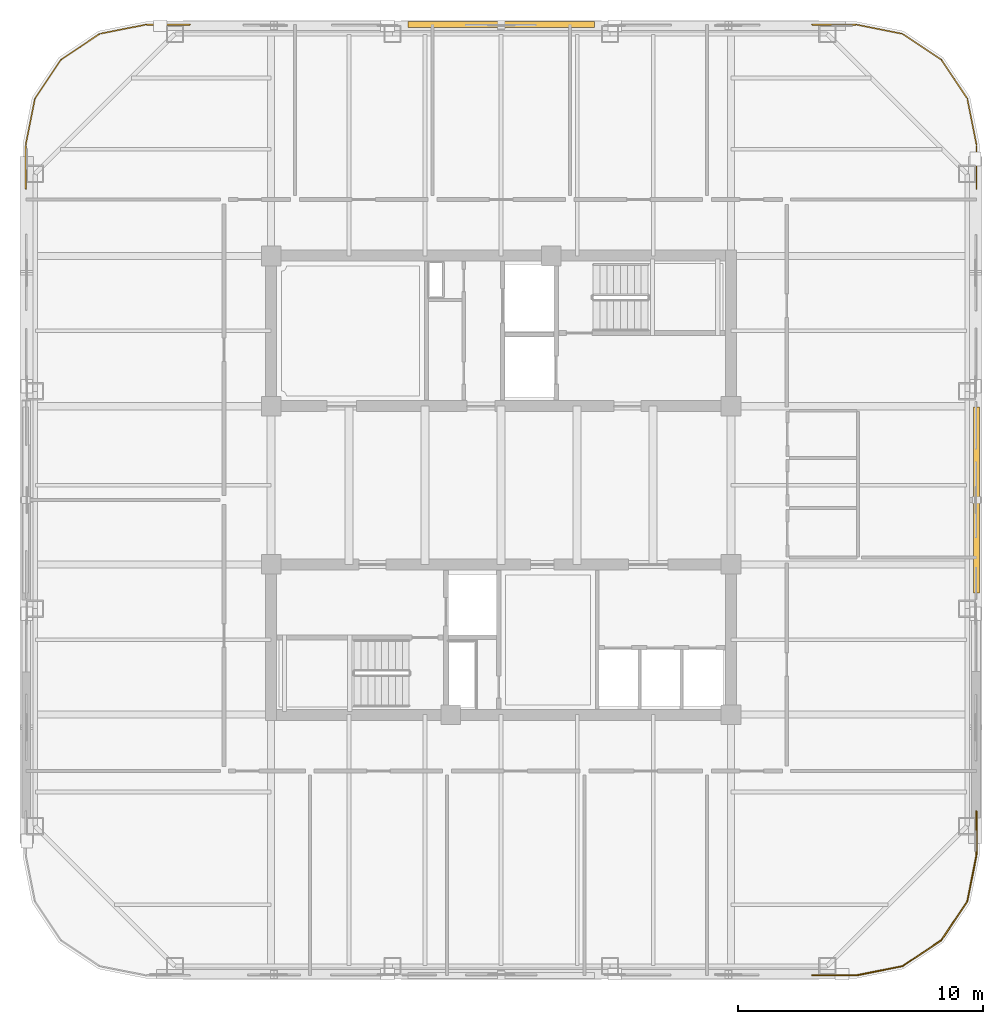
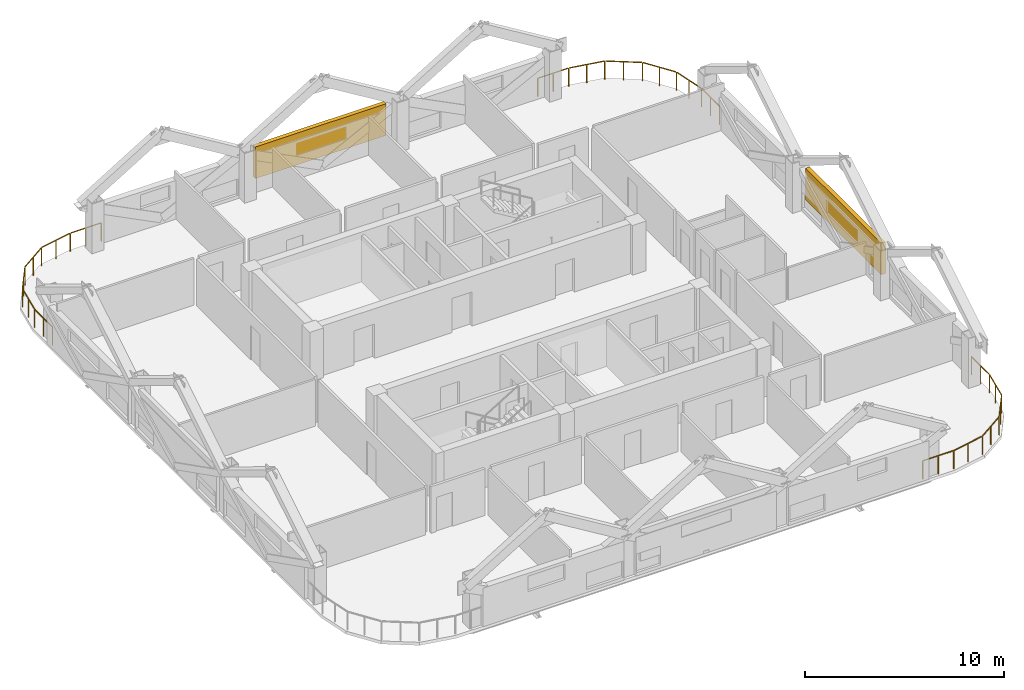
# One storey, part 9 of 9: 4 railings, 2 shading devices.
"""IFC4 building model written with IfcOpenShell, lengths in metres."""

from ifc_helpers import new_model, si_unit, direction, frame, origin, origin_2d, place, context, subcontext, project, spatial, rectangle, extrude, material, type_object, element, save


model = new_model("IFC4")

# Units and contexts
model_context = context("Model", 3, precision=1e-05, world=origin(), true_north=direction((0.0, 1.0)))
body_context = subcontext(model_context, "Body", "Model", "MODEL_VIEW")
ifc_project = project(units=[si_unit("LENGTHUNIT", "METRE"), si_unit("AREAUNIT", "SQUARE_METRE"), si_unit("VOLUMEUNIT", "CUBIC_METRE"), si_unit("PLANEANGLEUNIT", "RADIAN"), si_unit("MASSUNIT", "GRAM", prefix="KILO")], contexts=[model_context])

# Site, building, storey
site_placement = place(None, origin())
site = spatial("IfcSite", under=ifc_project, at=site_placement, CompositionType="ELEMENT")
building_placement = place(site_placement, origin())
building = spatial("IfcBuilding", under=site, at=building_placement, Name="Qhalaya Broadcast Tower", CompositionType="ELEMENT")
storey_placement = place(building_placement, frame((0.0, 0.0, 211.699951171875)))
storey = spatial("IfcBuildingStorey", under=building, at=storey_placement, Name="L62", CompositionType="ELEMENT", Elevation=211.699951171875)

# Railings
ifc_material_1 = material(Name="Powder-Coated Galvanised Steel", Category="steel")
railing_type = type_object("IfcRailingType", Name="Terrace, Sky-Pool & Lookout Glass Balustrade 1150", PredefinedType="BALUSTRADE", material=ifc_material_1)
railing_1_placement = place(storey_placement, frame((14.48828125, -19.3798828125, 0.0)))
element("IfcRailing", 1, at=railing_1_placement, inside=storey, type_object=railing_type, Name="L62 Rounded Corner Perimeter Guard 01", PredefinedType="BALUSTRADE", context=body_context, shape_type="SweptSolid", body=[
    extrude(rectangle(XDim=0.048095703125, YDim=0.048095703125, at=origin_2d()), frame((0.0, 0.0, 1.1259765625), z_axis=(-1.0, 0.0, 0.0), x_axis=(0.0, -1.0, 0.0)), (0.0, 0.0, 1.0), 1.806396484375),
    extrude(rectangle(XDim=0.0419921875, YDim=0.0419921875, at=origin_2d()), origin(), (0.0, 0.0, 1.0), 1.099853515625),
    extrude(rectangle(XDim=0.0419921875, YDim=0.0419921875, at=origin_2d()), frame((-0.9033203125, 0.0, 0.0)), (0.0, 0.0, 1.0), 1.099853515625),
    extrude(rectangle(XDim=0.0419921875, YDim=0.0419921875, at=origin_2d()), frame((-1.806396484375, 0.0, 0.0)), (0.0, 0.0, 1.0), 1.099853515625),
])
railing_2_placement = place(storey_placement, frame((-19.3798828125, 12.681884765625, 0.0)))
element("IfcRailing", 2, at=railing_2_placement, inside=storey, type_object=railing_type, Name="L62 Rounded Corner Perimeter Guard 03", PredefinedType="BALUSTRADE", context=body_context, shape_type="SweptSolid", body=[
    extrude(rectangle(XDim=0.048095703125, YDim=0.048095703125, at=origin_2d()), frame((0.0, 0.0, 1.1259765625), z_axis=(0.0, 1.0, 0.0), x_axis=(-1.0, 0.0, 0.0)), (0.0, 0.0, 1.0), 1.777587890625),
    extrude(rectangle(XDim=0.048095703125, YDim=0.048095703125, at=origin_2d()), frame((0.005615234375, 1.834716796875, 1.1259765625), z_axis=(0.195037378397, 0.980795810058, 0.0), x_axis=(-0.980795810058, 0.195037378397, 0.0)), (0.0, 0.0, 1.0), 1.857421875),
    extrude(rectangle(XDim=0.048095703125, YDim=0.048095703125, at=origin_2d()), frame((0.3896484375, 3.708740234375, 1.1259765625), z_axis=(0.555617615188, 0.831437950597, 0.0), x_axis=(-0.831437950597, 0.555617615188, 0.0)), (0.0, 0.0, 1.0), 1.845458984375),
    extrude(rectangle(XDim=0.048095703125, YDim=0.048095703125, at=origin_2d()), frame((1.454833984375, 5.283203125, 1.1259765625), z_axis=(0.831437950597, 0.555617615188, 0.0), x_axis=(-0.555617615188, 0.831437950597, 0.0)), (0.0, 0.0, 1.0), 1.845458984375),
    extrude(rectangle(XDim=0.048095703125, YDim=0.048095703125, at=origin_2d()), frame((3.04150390625, 6.330078125, 1.1259765625), z_axis=(0.980795810058, 0.195037378397, 0.0), x_axis=(-0.195037378397, 0.980795810058, 0.0)), (0.0, 0.0, 1.0), 1.857421875),
    extrude(rectangle(XDim=0.048095703125, YDim=0.048095703125, at=origin_2d()), frame((4.92041015625, 6.697998046875, 1.1259765625), z_axis=(1.0, 0.0, 0.0), x_axis=(0.0, 1.0, 0.0)), (0.0, 0.0, 1.0), 1.777587890625),
    extrude(rectangle(XDim=0.0419921875, YDim=0.0419921875, at=origin_2d()), origin(), (0.0, 0.0, 1.0), 1.099853515625),
    extrude(rectangle(XDim=0.0419921875, YDim=0.0419921875, at=origin_2d()), frame((0.0, 0.9033203125, 0.0)), (0.0, 0.0, 1.0), 1.099853515625),
    extrude(rectangle(XDim=0.0419921875, YDim=0.0419921875, at=origin_2d()), frame((0.0, 1.806396484375, 0.0)), (0.0, 0.0, 1.0), 1.099853515625),
    extrude(rectangle(XDim=0.0419921875, YDim=0.0419921875, at=origin_2d()), frame((0.186767578125, 2.74560546875, 0.0)), (0.0, 0.0, 1.0), 1.099853515625),
    extrude(rectangle(XDim=0.0419921875, YDim=0.0419921875, at=origin_2d()), frame((0.37353515625, 3.684814453125, 0.0)), (0.0, 0.0, 1.0), 1.099853515625),
    extrude(rectangle(XDim=0.0419921875, YDim=0.0419921875, at=origin_2d()), frame((0.90234375, 4.47607421875, 0.0)), (0.0, 0.0, 1.0), 1.099853515625),
    extrude(rectangle(XDim=0.0419921875, YDim=0.0419921875, at=origin_2d()), frame((1.430908203125, 5.26708984375, 0.0)), (0.0, 0.0, 1.0), 1.099853515625),
    extrude(rectangle(XDim=0.0419921875, YDim=0.0419921875, at=origin_2d()), frame((2.22216796875, 5.7958984375, 0.0)), (0.0, 0.0, 1.0), 1.099853515625),
    extrude(rectangle(XDim=0.0419921875, YDim=0.0419921875, at=origin_2d()), frame((3.01318359375, 6.324462890625, 0.0)), (0.0, 0.0, 1.0), 1.099853515625),
    extrude(rectangle(XDim=0.0419921875, YDim=0.0419921875, at=origin_2d()), frame((3.952392578125, 6.51123046875, 0.0)), (0.0, 0.0, 1.0), 1.099853515625),
    extrude(rectangle(XDim=0.0419921875, YDim=0.0419921875, at=origin_2d()), frame((4.8916015625, 6.697998046875, 0.0)), (0.0, 0.0, 1.0), 1.099853515625),
    extrude(rectangle(XDim=0.0419921875, YDim=0.0419921875, at=origin_2d()), frame((5.794921875, 6.697998046875, 0.0)), (0.0, 0.0, 1.0), 1.099853515625),
    extrude(rectangle(XDim=0.0419921875, YDim=0.0419921875, at=origin_2d()), frame((6.697998046875, 6.697998046875, 0.0)), (0.0, 0.0, 1.0), 1.099853515625),
])
railing_3_placement = place(storey_placement, frame((12.681884765625, 19.3798828125, 0.0)))
element("IfcRailing", 3, at=railing_3_placement, inside=storey, type_object=railing_type, Name="L62 Rounded Corner Perimeter Guard 04", PredefinedType="BALUSTRADE", context=body_context, shape_type="SweptSolid", body=[
    extrude(rectangle(XDim=0.048095703125, YDim=0.048095703125, at=origin_2d()), frame((0.0, 0.0, 1.1259765625), z_axis=(1.0, 0.0, 0.0), x_axis=(0.0, 1.0, 0.0)), (0.0, 0.0, 1.0), 1.777587890625),
    extrude(rectangle(XDim=0.048095703125, YDim=0.048095703125, at=origin_2d()), frame((1.834716796875, -0.005615234375, 1.1259765625), z_axis=(0.980795810058, -0.195037378397, 0.0), x_axis=(0.195037378397, 0.980795810058, 0.0)), (0.0, 0.0, 1.0), 1.857421875),
    extrude(rectangle(XDim=0.048095703125, YDim=0.048095703125, at=origin_2d()), frame((3.708740234375, -0.3896484375, 1.1259765625), z_axis=(0.831437950597, -0.555617615188, 0.0), x_axis=(0.555617615188, 0.831437950597, 0.0)), (0.0, 0.0, 1.0), 1.845458984375),
    extrude(rectangle(XDim=0.048095703125, YDim=0.048095703125, at=origin_2d()), frame((5.283203125, -1.454833984375, 1.1259765625), z_axis=(0.555617615188, -0.831437950597, 0.0), x_axis=(0.831437950597, 0.555617615188, 0.0)), (0.0, 0.0, 1.0), 1.845458984375),
    extrude(rectangle(XDim=0.048095703125, YDim=0.048095703125, at=origin_2d()), frame((6.330078125, -3.04150390625, 1.1259765625), z_axis=(0.195037378397, -0.980795810058, 0.0), x_axis=(0.980795810058, 0.195037378397, 0.0)), (0.0, 0.0, 1.0), 1.857421875),
    extrude(rectangle(XDim=0.048095703125, YDim=0.048095703125, at=origin_2d()), frame((6.697998046875, -4.92041015625, 1.1259765625), z_axis=(0.0, -1.0, 0.0), x_axis=(1.0, 0.0, 0.0)), (0.0, 0.0, 1.0), 1.777587890625),
    extrude(rectangle(XDim=0.0419921875, YDim=0.0419921875, at=origin_2d()), origin(), (0.0, 0.0, 1.0), 1.099853515625),
    extrude(rectangle(XDim=0.0419921875, YDim=0.0419921875, at=origin_2d()), frame((0.9033203125, 0.0, 0.0)), (0.0, 0.0, 1.0), 1.099853515625),
    extrude(rectangle(XDim=0.0419921875, YDim=0.0419921875, at=origin_2d()), frame((1.806396484375, 0.0, 0.0)), (0.0, 0.0, 1.0), 1.099853515625),
    extrude(rectangle(XDim=0.0419921875, YDim=0.0419921875, at=origin_2d()), frame((2.74560546875, -0.186767578125, 0.0)), (0.0, 0.0, 1.0), 1.099853515625),
    extrude(rectangle(XDim=0.0419921875, YDim=0.0419921875, at=origin_2d()), frame((3.684814453125, -0.37353515625, 0.0)), (0.0, 0.0, 1.0), 1.099853515625),
    extrude(rectangle(XDim=0.0419921875, YDim=0.0419921875, at=origin_2d()), frame((4.47607421875, -0.90234375, 0.0)), (0.0, 0.0, 1.0), 1.099853515625),
    extrude(rectangle(XDim=0.0419921875, YDim=0.0419921875, at=origin_2d()), frame((5.26708984375, -1.430908203125, 0.0)), (0.0, 0.0, 1.0), 1.099853515625),
    extrude(rectangle(XDim=0.0419921875, YDim=0.0419921875, at=origin_2d()), frame((5.7958984375, -2.22216796875, 0.0)), (0.0, 0.0, 1.0), 1.099853515625),
    extrude(rectangle(XDim=0.0419921875, YDim=0.0419921875, at=origin_2d()), frame((6.324462890625, -3.01318359375, 0.0)), (0.0, 0.0, 1.0), 1.099853515625),
    extrude(rectangle(XDim=0.0419921875, YDim=0.0419921875, at=origin_2d()), frame((6.51123046875, -3.952392578125, 0.0)), (0.0, 0.0, 1.0), 1.099853515625),
    extrude(rectangle(XDim=0.0419921875, YDim=0.0419921875, at=origin_2d()), frame((6.697998046875, -4.8916015625, 0.0)), (0.0, 0.0, 1.0), 1.099853515625),
    extrude(rectangle(XDim=0.0419921875, YDim=0.0419921875, at=origin_2d()), frame((6.697998046875, -5.794921875, 0.0)), (0.0, 0.0, 1.0), 1.099853515625),
    extrude(rectangle(XDim=0.0419921875, YDim=0.0419921875, at=origin_2d()), frame((6.697998046875, -6.697998046875, 0.0)), (0.0, 0.0, 1.0), 1.099853515625),
])
railing_4_placement = place(storey_placement, frame((19.3798828125, -12.681884765625, 0.0)))
element("IfcRailing", 4, at=railing_4_placement, inside=storey, type_object=railing_type, Name="L62 Rounded Corner Perimeter Guard 05", PredefinedType="BALUSTRADE", context=body_context, shape_type="SweptSolid", body=[
    extrude(rectangle(XDim=0.048095703125, YDim=0.048095703125, at=origin_2d()), frame((0.0, 0.0, 1.1259765625), z_axis=(0.0, -1.0, 0.0), x_axis=(1.0, 0.0, 0.0)), (0.0, 0.0, 1.0), 1.777587890625),
    extrude(rectangle(XDim=0.048095703125, YDim=0.048095703125, at=origin_2d()), frame((-0.005615234375, -1.834716796875, 1.1259765625), z_axis=(-0.195037378397, -0.980795810058, 0.0), x_axis=(0.980795810058, -0.195037378397, 0.0)), (0.0, 0.0, 1.0), 1.857421875),
    extrude(rectangle(XDim=0.048095703125, YDim=0.048095703125, at=origin_2d()), frame((-0.3896484375, -3.708740234375, 1.1259765625), z_axis=(-0.555617615188, -0.831437950597, 0.0), x_axis=(0.831437950597, -0.555617615188, 0.0)), (0.0, 0.0, 1.0), 1.845458984375),
    extrude(rectangle(XDim=0.048095703125, YDim=0.048095703125, at=origin_2d()), frame((-1.454833984375, -5.283203125, 1.1259765625), z_axis=(-0.831437950597, -0.555617615188, 0.0), x_axis=(0.555617615188, -0.831437950597, 0.0)), (0.0, 0.0, 1.0), 1.845458984375),
    extrude(rectangle(XDim=0.048095703125, YDim=0.048095703125, at=origin_2d()), frame((-3.04150390625, -6.330078125, 1.1259765625), z_axis=(-0.980795810058, -0.195037378397, 0.0), x_axis=(0.195037378397, -0.980795810058, 0.0)), (0.0, 0.0, 1.0), 1.88623046875),
    extrude(rectangle(XDim=0.0419921875, YDim=0.0419921875, at=origin_2d()), origin(), (0.0, 0.0, 1.0), 1.099853515625),
    extrude(rectangle(XDim=0.0419921875, YDim=0.0419921875, at=origin_2d()), frame((0.0, -0.9033203125, 0.0)), (0.0, 0.0, 1.0), 1.099853515625),
    extrude(rectangle(XDim=0.0419921875, YDim=0.0419921875, at=origin_2d()), frame((0.0, -1.806396484375, 0.0)), (0.0, 0.0, 1.0), 1.099853515625),
    extrude(rectangle(XDim=0.0419921875, YDim=0.0419921875, at=origin_2d()), frame((-0.186767578125, -2.74560546875, 0.0)), (0.0, 0.0, 1.0), 1.099853515625),
    extrude(rectangle(XDim=0.0419921875, YDim=0.0419921875, at=origin_2d()), frame((-0.37353515625, -3.684814453125, 0.0)), (0.0, 0.0, 1.0), 1.099853515625),
    extrude(rectangle(XDim=0.0419921875, YDim=0.0419921875, at=origin_2d()), frame((-0.90234375, -4.47607421875, 0.0)), (0.0, 0.0, 1.0), 1.099853515625),
    extrude(rectangle(XDim=0.0419921875, YDim=0.0419921875, at=origin_2d()), frame((-1.430908203125, -5.26708984375, 0.0)), (0.0, 0.0, 1.0), 1.099853515625),
    extrude(rectangle(XDim=0.0419921875, YDim=0.0419921875, at=origin_2d()), frame((-2.22216796875, -5.7958984375, 0.0)), (0.0, 0.0, 1.0), 1.099853515625),
    extrude(rectangle(XDim=0.0419921875, YDim=0.0419921875, at=origin_2d()), frame((-3.01318359375, -6.324462890625, 0.0)), (0.0, 0.0, 1.0), 1.099853515625),
    extrude(rectangle(XDim=0.0419921875, YDim=0.0419921875, at=origin_2d()), frame((-3.952392578125, -6.51123046875, 0.0)), (0.0, 0.0, 1.0), 1.099853515625),
    extrude(rectangle(XDim=0.0419921875, YDim=0.0419921875, at=origin_2d()), frame((-4.8916015625, -6.697998046875, 0.0)), (0.0, 0.0, 1.0), 1.099853515625),
])

# Shading devices
ifc_material_2 = material(Name="Fired Architectural Terracotta", Category="masonry")
shading_device_type = type_object("IfcShadingDeviceType", Name="Terracotta Baguette Solar Screen Assembly TBS-01", PredefinedType="USERDEFINED", material=ifc_material_2)
for number, where, z_axis, x_axis, name in (
    (5, (19.3798828125, 0.0, 0.80078125), (0.0, 0.0, 1.0), (0.0, 1.0, 0.0), "L62 Fired Terracotta Baguette Screen E"),
    (6, (0.0, 19.3798828125, 0.80078125), (0.0, 0.0, 1.0), (-1.0, 0.0, 0.0), "L62 Fired Terracotta Baguette Screen N"),
):
    element("IfcShadingDevice", number, at=place(storey_placement, frame(where, z_axis=z_axis, x_axis=x_axis)), inside=storey, type_object=shading_device_type, Name=name, ObjectType="BAGUETTE", PredefinedType="USERDEFINED", context=body_context, shape_type="SweptSolid", body=[
        extrude(rectangle(XDim=7.60009765625, YDim=0.239990234375, at=origin_2d()), origin(), (0.0, 0.0, 1.0), 1.945068359375),
    ])

save(model, "model.ifc")
